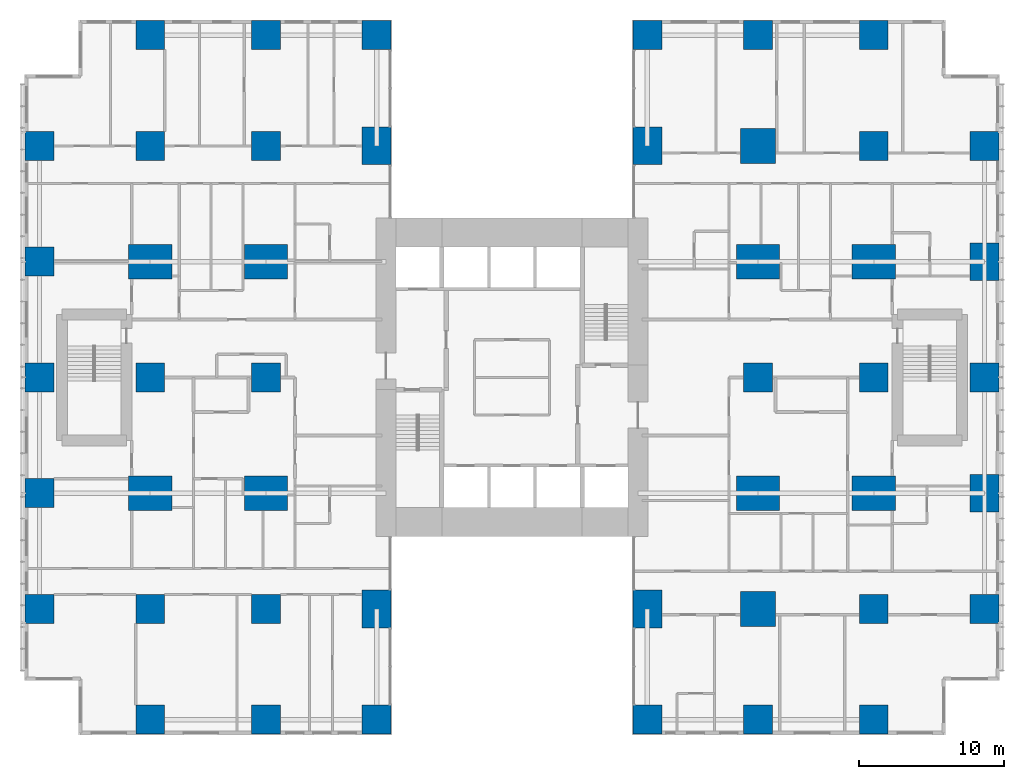
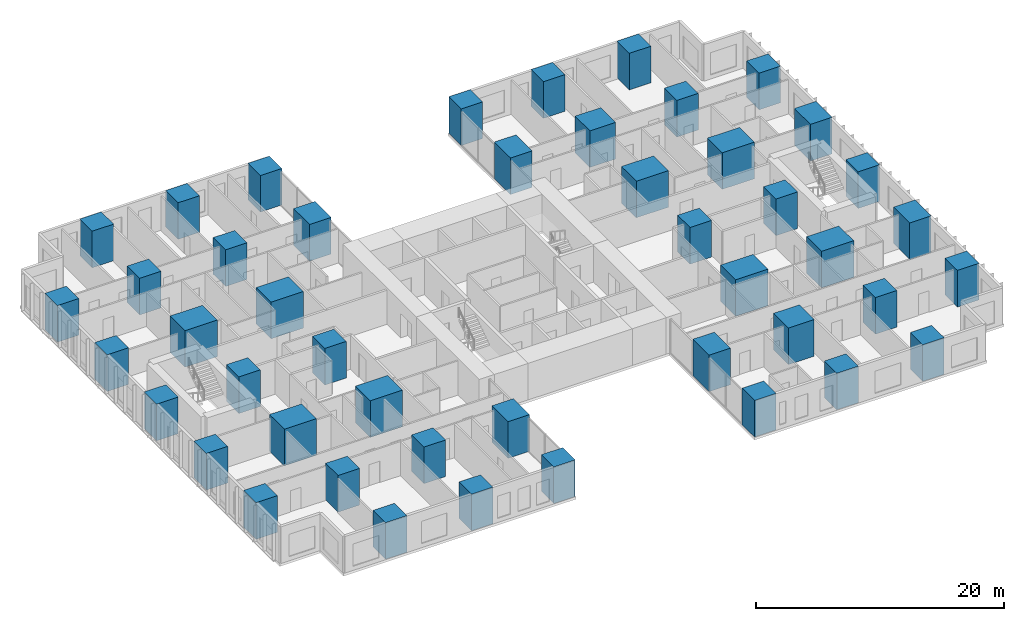
# One storey, part 1 of 20: 46 columns.
"""IFC4 building model written with IfcOpenShell, lengths in metres."""

from ifc_helpers import new_model, si_unit, direction, frame, origin, origin_2d, place, context, subcontext, project, spatial, rectangle, extrude, material, material_profile, profile_set, type_object, element, save


model = new_model("IFC4")

# Units and contexts
model_context = context("Model", 3, precision=1e-05, world=origin(), true_north=direction((0.0, 1.0)))
body_context = subcontext(model_context, "Body", "Model", "MODEL_VIEW")
ifc_project = project(units=[si_unit("LENGTHUNIT", "METRE"), si_unit("AREAUNIT", "SQUARE_METRE"), si_unit("VOLUMEUNIT", "CUBIC_METRE"), si_unit("PLANEANGLEUNIT", "RADIAN"), si_unit("MASSUNIT", "GRAM", prefix="KILO")], contexts=[model_context])

# Site, building, storey
site_placement = place(None, origin())
site = spatial("IfcSite", under=ifc_project, at=site_placement, CompositionType="ELEMENT")
building_placement = place(site_placement, origin())
building = spatial("IfcBuilding", under=site, at=building_placement, Name="Cleftline Residences", CompositionType="ELEMENT")
storey_placement = place(building_placement, frame((0.0, 0.0, 99.800048828125)))
storey = spatial("IfcBuildingStorey", under=building, at=storey_placement, Name="L25", CompositionType="ELEMENT", Elevation=99.800048828125)

# Columns
ifc_material_1 = material(Name="Concrete B70", Category="concrete")
ifc_material_profile_1 = material_profile(ifc_material_1, rectangle(XDim=2.0, YDim=2.0, at=origin_2d()))
ifc_profile_set_1 = profile_set([ifc_material_profile_1], Name="Concrete B70")
column_type_1 = type_object("IfcColumnType", Name="COLUMN RC2000X2000", PredefinedType="COLUMN", material=ifc_profile_set_1)
for number, where, z_axis, x_axis, name in (
    (1, (0.35009765625, 8.0, 0.0), (0.0, 0.0, 1.0), (1.0, 0.0, 0.0), "Column D/3"),
    (2, (0.35009765625, 16.0, 0.0), (0.0, 0.0, 1.0), (1.0, 0.0, 0.0), "Column E/3"),
    (3, (0.35009765625, 24.0, 0.0), (0.0, 0.0, 1.0), (1.0, 0.0, 0.0), "Column F/3"),
    (4, (0.35009765625, 32.0, 0.0), (0.0, 0.0, 1.0), (1.0, 0.0, 0.0), "Column G/3"),
    (5, (0.35009765625, 40.0, 0.0), (0.0, 0.0, 1.0), (1.0, 0.0, 0.0), "Column H/3"),
    (6, (8.0, 0.35009765625, 0.0), (0.0, 0.0, 1.0), (1.0, 0.0, 0.0), "Column C/4"),
    (7, (8.0, 8.0, 0.0), (0.0, 0.0, 1.0), (1.0, 0.0, 0.0), "Column D/4"),
    (8, (8.0, 24.0, 0.0), (0.0, 0.0, 1.0), (1.0, 0.0, 0.0), "Column F/4"),
    (9, (8.0, 40.0, 0.0), (0.0, 0.0, 1.0), (1.0, 0.0, 0.0), "Column H/4"),
    (10, (8.0, 47.64990234375, 0.0), (0.0, 0.0, 1.0), (1.0, 0.0, 0.0), "Column J/4"),
    (11, (16.0, 0.35009765625, 0.0), (0.0, 0.0, 1.0), (1.0, 0.0, 0.0), "Column C/5"),
    (12, (16.0, 8.0, 0.0), (0.0, 0.0, 1.0), (1.0, 0.0, 0.0), "Column D/5"),
    (13, (16.0, 24.0, 0.0), (0.0, 0.0, 1.0), (1.0, 0.0, 0.0), "Column F/5"),
    (14, (16.0, 40.0, 0.0), (0.0, 0.0, 1.0), (1.0, 0.0, 0.0), "Column H/5"),
    (15, (16.0, 47.64990234375, 0.0), (0.0, 0.0, 1.0), (1.0, 0.0, 0.0), "Column J/5"),
    (16, (23.64990234375, 0.35009765625, 0.0), (0.0, 0.0, 1.0), (1.0, 0.0, 0.0), "Column C/6"),
    (17, (23.64990234375, 47.64990234375, 0.0), (0.0, 0.0, 1.0), (1.0, 0.0, 0.0), "Column J/6"),
    (18, (42.35009765625, 0.35009765625, 0.0), (0.0, 0.0, 1.0), (1.0, 0.0, 0.0), "Column C/8"),
    (19, (42.35009765625, 47.64990234375, 0.0), (0.0, 0.0, 1.0), (1.0, 0.0, 0.0), "Column J/8"),
    (20, (50.0, 0.35009765625, 0.0), (0.0, 0.0, 1.0), (1.0, 0.0, 0.0), "Column C/9"),
    (21, (50.0, 24.0, 0.0), (0.0, 0.0, 1.0), (1.0, 0.0, 0.0), "Column F/9"),
    (22, (50.0, 47.64990234375, 0.0), (0.0, 0.0, 1.0), (1.0, 0.0, 0.0), "Column J/9"),
    (23, (58.0, 0.35009765625, 0.0), (0.0, 0.0, 1.0), (1.0, 0.0, 0.0), "Column C/10"),
    (24, (58.0, 8.0, 0.0), (0.0, 0.0, 1.0), (1.0, 0.0, 0.0), "Column D/10"),
    (25, (58.0, 24.0, 0.0), (0.0, 0.0, 1.0), (1.0, 0.0, 0.0), "Column F/10"),
    (26, (58.0, 40.0, 0.0), (0.0, 0.0, 1.0), (1.0, 0.0, 0.0), "Column H/10"),
    (27, (58.0, 47.64990234375, 0.0), (0.0, 0.0, 1.0), (1.0, 0.0, 0.0), "Column J/10"),
    (28, (65.64990234375, 8.0, 0.0), (0.0, 0.0, 1.0), (1.0, 0.0, 0.0), "Column D/11"),
    (29, (65.64990234375, 24.0, 0.0), (0.0, 0.0, 1.0), (1.0, 0.0, 0.0), "Column F/11"),
    (30, (65.64990234375, 40.0, 0.0), (0.0, 0.0, 1.0), (1.0, 0.0, 0.0), "Column H/11"),
):
    element("IfcColumn", number, at=place(storey_placement, frame(where, z_axis=z_axis, x_axis=x_axis)), inside=storey, type_object=column_type_1, Name=name, PredefinedType="COLUMN", context=body_context, shape_type="SweptSolid", body=[
        extrude(rectangle(XDim=2.0, YDim=2.0, at=origin_2d()), origin(), (0.0, 0.0, 1.0), 3.599853515625),
    ])
ifc_material_2 = material(Name="Concrete B70", Category="concrete")
ifc_material_profile_2 = material_profile(ifc_material_2, rectangle(XDim=2.0, YDim=2.60009765625, at=origin_2d()))
ifc_profile_set_2 = profile_set([ifc_material_profile_2], Name="Concrete B70")
column_type_2 = type_object("IfcColumnType", Name="COLUMN RC2000X2600", PredefinedType="COLUMN", material=ifc_profile_set_2)
for number, where, z_axis, x_axis, name in (
    (31, (23.64990234375, 8.0, 0.0), (0.0, 0.0, 1.0), (1.0, 0.0, 0.0), "Column D/6"),
    (32, (23.64990234375, 40.0, 0.0), (0.0, 0.0, 1.0), (1.0, 0.0, 0.0), "Column H/6"),
    (33, (42.35009765625, 8.0, 0.0), (0.0, 0.0, 1.0), (1.0, 0.0, 0.0), "Column D/8"),
    (34, (42.35009765625, 40.0, 0.0), (0.0, 0.0, 1.0), (1.0, 0.0, 0.0), "Column H/8"),
):
    element("IfcColumn", number, at=place(storey_placement, frame(where, z_axis=z_axis, x_axis=x_axis)), inside=storey, type_object=column_type_2, Name=name, PredefinedType="COLUMN", context=body_context, shape_type="SweptSolid", body=[
        extrude(rectangle(XDim=2.0, YDim=2.60009765625, at=origin_2d()), origin(), (0.0, 0.0, 1.0), 3.599853515625),
    ])
ifc_material_3 = material(Name="Concrete B70", Category="concrete")
ifc_material_profile_3 = material_profile(ifc_material_3, rectangle(XDim=2.39990234375, YDim=2.39990234375, at=origin_2d()))
ifc_profile_set_3 = profile_set([ifc_material_profile_3], Name="Concrete B70")
column_type_3 = type_object("IfcColumnType", Name="COLUMN RC2400X2400", PredefinedType="COLUMN", material=ifc_profile_set_3)
for number, where, z_axis, x_axis, name in (
    (35, (50.0, 8.0, 0.0), (0.0, 0.0, 1.0), (1.0, 0.0, 0.0), "Column D/9"),
    (36, (50.0, 40.0, 0.0), (0.0, 0.0, 1.0), (1.0, 0.0, 0.0), "Column H/9"),
):
    element("IfcColumn", number, at=place(storey_placement, frame(where, z_axis=z_axis, x_axis=x_axis)), inside=storey, type_object=column_type_3, Name=name, PredefinedType="COLUMN", context=body_context, shape_type="SweptSolid", body=[
        extrude(rectangle(XDim=2.39990234375, YDim=2.39990234375, at=origin_2d()), origin(), (0.0, 0.0, 1.0), 3.599853515625),
    ])
ifc_material_4 = material(Name="Concrete B70", Category="concrete")
ifc_material_profile_4 = material_profile(ifc_material_4, rectangle(XDim=2.60009765625, YDim=2.0, at=origin_2d()))
ifc_profile_set_4 = profile_set([ifc_material_profile_4], Name="Concrete B70")
column_type_4 = type_object("IfcColumnType", Name="COLUMN RC2600X2000", PredefinedType="COLUMN", material=ifc_profile_set_4)
for number, where, z_axis, x_axis, name in (
    (37, (65.64990234375, 16.0, 0.0), (0.0, 0.0, 1.0), (0.0, 1.0, 0.0), "Column E/11"),
    (38, (65.64990234375, 32.0, 0.0), (0.0, 0.0, 1.0), (0.0, 1.0, 0.0), "Column G/11"),
):
    element("IfcColumn", number, at=place(storey_placement, frame(where, z_axis=z_axis, x_axis=x_axis)), inside=storey, type_object=column_type_4, Name=name, PredefinedType="COLUMN", context=body_context, shape_type="SweptSolid", body=[
        extrude(rectangle(XDim=2.60009765625, YDim=2.0, at=origin_2d()), origin(), (0.0, 0.0, 1.0), 3.599853515625),
    ])
ifc_material_5 = material(Name="Concrete B70", Category="concrete")
ifc_material_profile_5 = material_profile(ifc_material_5, rectangle(XDim=3.0, YDim=2.39990234375, at=origin_2d()))
ifc_profile_set_5 = profile_set([ifc_material_profile_5], Name="Concrete B70")
column_type_5 = type_object("IfcColumnType", Name="COLUMN RC3000X2400", PredefinedType="COLUMN", material=ifc_profile_set_5)
for number, where, z_axis, x_axis, name in (
    (39, (8.0, 16.0, 0.0), (0.0, 0.0, 1.0), (1.0, 0.0, 0.0), "Column E/4"),
    (40, (8.0, 32.0, 0.0), (0.0, 0.0, 1.0), (1.0, 0.0, 0.0), "Column G/4"),
    (41, (16.0, 16.0, 0.0), (0.0, 0.0, 1.0), (1.0, 0.0, 0.0), "Column E/5"),
    (42, (16.0, 32.0, 0.0), (0.0, 0.0, 1.0), (1.0, 0.0, 0.0), "Column G/5"),
    (43, (50.0, 16.0, 0.0), (0.0, 0.0, 1.0), (1.0, 0.0, 0.0), "Column E/9"),
    (44, (50.0, 32.0, 0.0), (0.0, 0.0, 1.0), (1.0, 0.0, 0.0), "Column G/9"),
    (45, (58.0, 16.0, 0.0), (0.0, 0.0, 1.0), (1.0, 0.0, 0.0), "Column E/10"),
    (46, (58.0, 32.0, 0.0), (0.0, 0.0, 1.0), (1.0, 0.0, 0.0), "Column G/10"),
):
    element("IfcColumn", number, at=place(storey_placement, frame(where, z_axis=z_axis, x_axis=x_axis)), inside=storey, type_object=column_type_5, Name=name, PredefinedType="COLUMN", context=body_context, shape_type="SweptSolid", body=[
        extrude(rectangle(XDim=3.0, YDim=2.39990234375, at=origin_2d()), origin(), (0.0, 0.0, 1.0), 3.599853515625),
    ])

save(model, "model.ifc")
